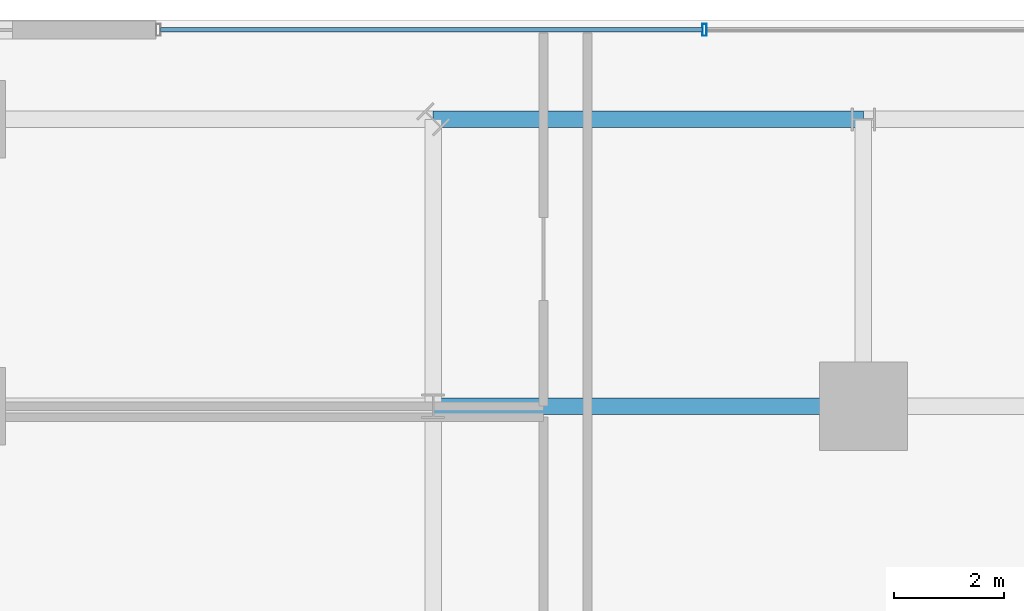
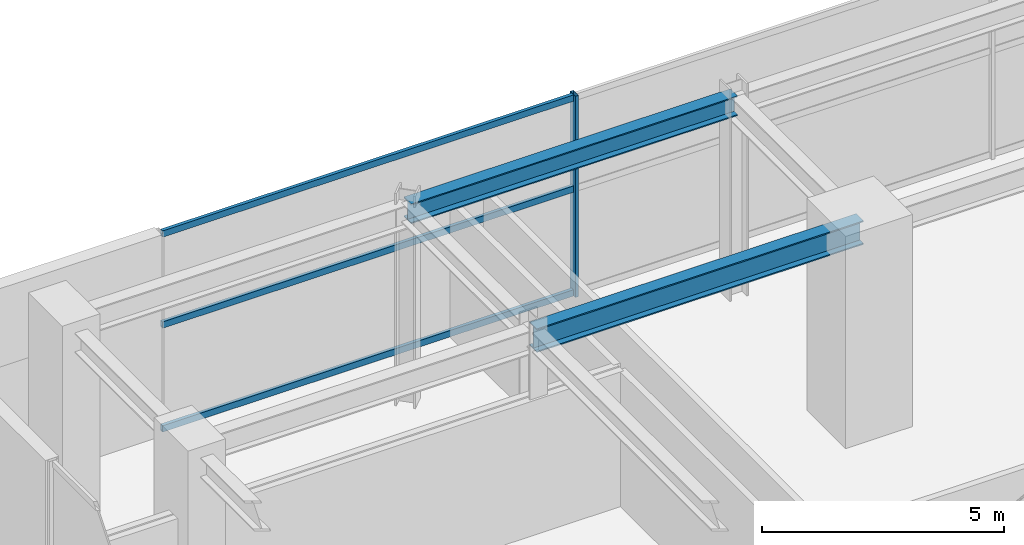
# One storey, part 14 of 34: 4 members, 2 beams, 1 element without a shape of its own.
"""IFC4 building model written with IfcOpenShell, lengths in metres."""

import ifcopenshell
import ifcopenshell.guid

model = None  # the IFC model being written
_history = None  # IfcOwnerHistory: only IFC2X3 demands one
_inside = {}  # id of a spatial element -> (the spatial element, [elements in it])
_under = {}  # id of a project, library or spatial element -> (it, [spatial elements below it])
_declared = {}  # id of a project -> (the project, [libraries it declares])
_typed = {}  # id of a type object -> (the type object, [elements of that type])
_made_of = {}  # id of a material, layer set ... -> (it, [elements and type objects made of it])


def new_model(schema):
    """Start an empty IFC model of exactly this schema.

    Asked for "IFC4X3", IfcOpenShell would pick the latest addendum, in which some entities
    have other attributes; the version numbers below select the first issue.
    IFC2X3 requires an IfcOwnerHistory on every rooted entity: one is made here for all.
    """
    global model, _history
    if schema == "IFC4X3":
        model = ifcopenshell.file(schema_version=(4, 3, 0, 0))
    else:
        model = ifcopenshell.file(schema=schema)
    _inside.clear()
    _under.clear()
    _declared.clear()
    _typed.clear()
    _made_of.clear()
    _history = None
    if model.schema == "IFC2X3":
        org = make("IfcOrganization", Name="unknown")
        user = make(
            "IfcPersonAndOrganization",
            ThePerson=make("IfcPerson", FamilyName="unknown"),
            TheOrganization=org,
        )
        app = make(
            "IfcApplication",
            ApplicationDeveloper=org,
            Version="unknown",
            ApplicationFullName="unknown",
            ApplicationIdentifier="unknown",
        )
        _history = make(
            "IfcOwnerHistory",
            OwningUser=user,
            OwningApplication=app,
            ChangeAction="ADDED",
            CreationDate=0,
        )
    return model


def make(cls, **values):
    """One entity of the class cls with the attributes given. An attribute that is None is left unset."""
    return model.create_entity(
        cls, **{name: value for name, value in values.items() if value is not None}
    )


def rooted(cls, **values):
    """An entity with a GlobalId (a new one), such as an element, a storey or a relation."""
    return make(cls, GlobalId=ifcopenshell.guid.new(), OwnerHistory=_history, **values)


def si_unit(unit_type, name, prefix=None):
    """IfcSIUnit, for example si_unit("LENGTHUNIT", "METRE", prefix="MILLI")."""
    return make("IfcSIUnit", UnitType=unit_type, Prefix=prefix, Name=name)


def assignment(units):
    """IfcUnitAssignment: the units of a project."""
    return None if units is None else make("IfcUnitAssignment", Units=units)


def point(xyz):
    """IfcCartesianPoint."""
    return None if xyz is None else make("IfcCartesianPoint", Coordinates=xyz)


def direction(xyz):
    """IfcDirection."""
    return None if xyz is None else make("IfcDirection", DirectionRatios=xyz)


def frame(location, z_axis=None, x_axis=None):
    """IfcAxis2Placement3D, a coordinate frame: its origin and axes. An axis left out is left unset."""
    return make(
        "IfcAxis2Placement3D",
        Location=point(location),
        Axis=direction(z_axis),
        RefDirection=direction(x_axis),
    )


def frame_2d(location, x_axis=None):
    """IfcAxis2Placement2D, a coordinate frame in the plane: its origin and x axis."""
    return make(
        "IfcAxis2Placement2D", Location=point(location), RefDirection=direction(x_axis)
    )


def origin():
    """The frame at (0, 0, 0) with its axes left unset."""
    return frame((0.0, 0.0, 0.0))


def origin_2d():
    """The frame at (0, 0) in the plane with its x axis left unset."""
    return frame_2d((0.0, 0.0))


def place(relative_to, where):
    """IfcLocalPlacement: puts the frame where relative to a parent placement (None: the world)."""
    return make(
        "IfcLocalPlacement", PlacementRelTo=relative_to, RelativePlacement=where
    )


def context(
    kind, dimensions, precision=None, world=None, true_north=None, identifier=None
):
    """IfcGeometricRepresentationContext, for example the 3D "Model" context."""
    return make(
        "IfcGeometricRepresentationContext",
        ContextIdentifier=identifier,
        ContextType=kind,
        CoordinateSpaceDimension=dimensions,
        Precision=precision,
        WorldCoordinateSystem=world,
        TrueNorth=true_north,
    )


def subcontext(parent, identifier, kind, view, scale=None):
    """IfcGeometricRepresentationSubContext, for example "Body" below "Model"."""
    return make(
        "IfcGeometricRepresentationSubContext",
        ContextIdentifier=identifier,
        ContextType=kind,
        ParentContext=parent,
        TargetScale=scale,
        TargetView=view,
    )


def project(units=None, contexts=None):
    """IfcProject with its units and contexts."""
    return rooted(
        "IfcProject",
        Name="project",
        RepresentationContexts=contexts,
        UnitsInContext=assignment(units),
    )


def spatial(cls, under=None, at=None, **own):
    """A site, building, storey or space (cls), placed at a placement, below another one or the project."""
    s = rooted(cls, ObjectPlacement=at, **own)
    if under is not None:
        _under.setdefault(under.id(), (under, []))[1].append(s)
    return s


def profile(cls, at=None, kind="AREA", **sizes):
    """A parametric profile (cls). Its sizes go by their IFC names, for example OverallWidth=200.0."""
    return make(cls, ProfileType=kind, Position=at, **sizes)


def hollow_rectangle(**sizes):
    """IfcRectangleHollowProfileDef."""
    return profile("IfcRectangleHollowProfileDef", **sizes)


def i_section(**sizes):
    """IfcIShapeProfileDef."""
    return profile("IfcIShapeProfileDef", **sizes)


def extrude(swept, where, along, depth):
    """IfcExtrudedAreaSolid: the profile swept, set in the frame where, extruded along a direction by depth."""
    return make(
        "IfcExtrudedAreaSolid",
        SweptArea=swept,
        Position=where,
        ExtrudedDirection=direction(along),
        Depth=depth,
    )


def shape(context_of_items, identifier, shape_type, items):
    """IfcShapeRepresentation: the items that make up one representation, for example the "Body"."""
    return make(
        "IfcShapeRepresentation",
        ContextOfItems=context_of_items,
        RepresentationIdentifier=identifier,
        RepresentationType=shape_type,
        Items=items,
    )


def source(mapping_origin, context_of_items, identifier, shape_type, items):
    """IfcRepresentationMap: a shape defined once, which mapped items show again and again."""
    return make(
        "IfcRepresentationMap",
        MappingOrigin=mapping_origin,
        MappedRepresentation=shape(context_of_items, identifier, shape_type, items),
    )


def transform(
    local_origin,
    x_axis=None,
    y_axis=None,
    z_axis=None,
    scale=None,
    scale2=None,
    scale3=None,
    uniform=True,
):
    """IfcCartesianTransformationOperator3D, or its non-uniform kind. x_axis, y_axis, z_axis: its Axis1, 2, 3."""
    if uniform:
        return make(
            "IfcCartesianTransformationOperator3D",
            Axis1=direction(x_axis),
            Axis2=direction(y_axis),
            LocalOrigin=point(local_origin),
            Scale=scale,
            Axis3=direction(z_axis),
        )
    return make(
        "IfcCartesianTransformationOperator3DnonUniform",
        Axis1=direction(x_axis),
        Axis2=direction(y_axis),
        LocalOrigin=point(local_origin),
        Scale=scale,
        Axis3=direction(z_axis),
        Scale2=scale2,
        Scale3=scale3,
    )


def mapped(mapping_source, mapping_target):
    """IfcMappedItem: shows the shape of a source again, moved by a transform."""
    return make(
        "IfcMappedItem", MappingSource=mapping_source, MappingTarget=mapping_target
    )


def material(Name=None, Category=None):
    """IfcMaterial."""
    return make("IfcMaterial", Name=Name, Category=Category)


def material_profile(
    of_material, cross_section, Name=None, Category=None, Priority=None
):
    """IfcMaterialProfile: a cross section and its material."""
    return make(
        "IfcMaterialProfile",
        Name=Name,
        Material=of_material,
        Profile=cross_section,
        Priority=Priority,
        Category=Category,
    )


def profile_set(profiles, Name=None, composite=None):
    """IfcMaterialProfileSet."""
    return make(
        "IfcMaterialProfileSet",
        Name=Name,
        MaterialProfiles=profiles,
        CompositeProfile=composite,
    )


def made_of(thing, what):
    """Note that an element or type object is made of a material, layer set ...; save() writes the relation."""
    if what is not None:
        _made_of.setdefault(what.id(), (what, []))[1].append(thing)
    return thing


def type_object(cls, material=None, **own):
    """A type object (cls), such as IfcWallType, which elements share."""
    return made_of(rooted(cls, **own), material)


def element(
    cls,
    number,
    at=None,
    inside=None,
    cuts=None,
    type_object=None,
    material=None,
    context=None,
    identifier="Body",
    shape_type=None,
    held_by="IfcProductDefinitionShape",
    body=None,
    shapes=None,
    **own,
):
    """One element of the class cls, such as IfcWall. Its Tag is "e" and its number.

    at: its placement. inside: the storey or other place that contains it. cuts: it is an
    opening in that element (IfcRelVoidsElement). A single representation is given by context,
    identifier, shape_type and body (its items); several are given by shapes. held_by: the class
    of the entity that holds the representations. save() writes the other relations.
    """
    e = rooted(cls, Tag="e%d" % number, ObjectPlacement=at, **own)
    if body is not None:
        shapes = [shape(context, identifier, shape_type, body)]
    if shapes is not None:
        e.Representation = make(held_by, Representations=shapes)
    if inside is not None:
        _inside.setdefault(inside.id(), (inside, []))[1].append(e)
    if cuts is not None:
        rooted(
            "IfcRelVoidsElement", RelatingBuildingElement=cuts, RelatedOpeningElement=e
        )
    if type_object is not None:
        _typed.setdefault(type_object.id(), (type_object, []))[1].append(e)
    return made_of(e, material)


def aggregate(whole, parts):
    """IfcRelAggregates: a whole, such as a stair, and the parts it consists of."""
    return rooted("IfcRelAggregates", RelatingObject=whole, RelatedObjects=parts)


def save(model, path):
    """Write the relations noted so far, then the file.

    IfcRelAggregates (storeys below a building ...), IfcRelContainedInSpatialStructure (elements
    in a storey), IfcRelDefinesByType, IfcRelAssociatesMaterial and IfcRelDeclares: one each for
    every whole, place, type object, material and project.
    """
    for whole, parts in _under.values():
        aggregate(whole, parts)
    for where, things in _inside.values():
        rooted(
            "IfcRelContainedInSpatialStructure",
            RelatedElements=things,
            RelatingStructure=where,
        )
    for kind, things in _typed.values():
        rooted("IfcRelDefinesByType", RelatedObjects=things, RelatingType=kind)
    for what, things in _made_of.values():
        rooted("IfcRelAssociatesMaterial", RelatedObjects=things, RelatingMaterial=what)
    for by, libraries in _declared.values():
        rooted("IfcRelDeclares", RelatingContext=by, RelatedDefinitions=libraries)
    model.write(path)


model = new_model("IFC4")

# Units and contexts
model_context = context("Model", 3, precision=1e-05, world=origin(), true_north=direction((0.0, 1.0)))
body_context = subcontext(model_context, "Body", "Model", "MODEL_VIEW")
ifc_project = project(units=[si_unit("LENGTHUNIT", "METRE"), si_unit("AREAUNIT", "SQUARE_METRE"), si_unit("VOLUMEUNIT", "CUBIC_METRE"), si_unit("PLANEANGLEUNIT", "RADIAN"), si_unit("MASSUNIT", "GRAM", prefix="KILO")], contexts=[model_context])

# Site, building, storey
site_placement = place(None, origin())
site = spatial("IfcSite", under=ifc_project, at=site_placement, CompositionType="ELEMENT")
building_placement = place(site_placement, origin())
building = spatial("IfcBuilding", under=site, at=building_placement, Name="Nahalor Promenade Grand Hotel", CompositionType="ELEMENT")
storey_placement = place(building_placement, frame((0.0, 0.0, 16.199951171875)))
storey = spatial("IfcBuildingStorey", under=building, at=storey_placement, Name="L03", CompositionType="ELEMENT", Elevation=16.199951171875)

# Beams
ifc_material_1 = material(Name="Steel S355JR", Category="steel")
ifc_material_profile_1 = material_profile(ifc_material_1, i_section(OverallWidth=0.3, OverallDepth=0.6, WebThickness=0.0155, FlangeThickness=0.03, at=origin_2d()), Name="HEB 600")
ifc_profile_set_1 = profile_set([ifc_material_profile_1], Name="Steel S355JR")
beam_type_1 = type_object("IfcBeamType", Name="Beam-Girder-HEB600", PredefinedType="BEAM", material=ifc_profile_set_1)
shared_shape_1 = source(origin(), body_context, "Body", "SweptSolid", [
    extrude(i_section(OverallWidth=0.3, OverallDepth=0.6, WebThickness=0.0155, FlangeThickness=0.03, at=origin_2d()), origin(), (0.0, 0.0, 1.0), 7.800048828125),
])
beam_1_placement = place(storey_placement, frame((-24.800048828125, 17.0, 4.780029296875), z_axis=(1.0, 0.0, 0.0), x_axis=(0.0, 1.0, 0.0)))
element("IfcBeam", 1, at=beam_1_placement, inside=storey, type_object=beam_type_1, Name="BM-L03-GX-3-1", PredefinedType="BEAM", context=body_context, shape_type="MappedRepresentation", body=[
    mapped(shared_shape_1, transform((0.0, 0.0, 0.0), scale=1.0)),
])
ifc_material_profile_2 = material_profile(ifc_material_1, i_section(OverallWidth=0.3, OverallDepth=0.5, WebThickness=0.0145, FlangeThickness=0.028, at=origin_2d()), Name="HEB 500")
ifc_profile_set_2 = profile_set([ifc_material_profile_2], Name="Steel S355JR")
beam_type_2 = type_object("IfcBeamType", Name="Beam-Spandrel-HEB500", PredefinedType="SPANDREL", material=ifc_profile_set_2)
shared_shape_2 = source(origin(), body_context, "Body", "SweptSolid", [
    extrude(i_section(OverallWidth=0.3, OverallDepth=0.5, WebThickness=0.0145, FlangeThickness=0.028, at=origin_2d()), origin(), (0.0, 0.0, 1.0), 7.800048828125),
])
beam_2_placement = place(storey_placement, frame((-17.0, 22.199951171875, 4.830078125), z_axis=(-1.0, 0.0, 0.0), x_axis=(0.0, -1.0, 0.0)))
element("IfcBeam", 2, at=beam_2_placement, inside=storey, type_object=beam_type_2, Name="BM-L03-SPC-NW-1", PredefinedType="SPANDREL", context=body_context, shape_type="MappedRepresentation", body=[
    mapped(shared_shape_2, transform((0.0, 0.0, 0.0), scale=1.0)),
])

# Curtain wall, members
ifc_material_2 = material(Name="Anodised Bronze Aluminium EN AW-6063 T6", Category="aluminium")
curtain_wall_type = type_object("IfcCurtainWallType", Name="CW1 Waterfront Podium Bronze Arcade Curtain Wall", PredefinedType="USERDEFINED", material=ifc_material_2)
curtain_wall_placement = place(storey_placement, origin())
curtain_wall = element("IfcCurtainWall", 3, at=curtain_wall_placement, inside=storey, type_object=curtain_wall_type, Name="L03 Curtain Wall CW-L03-N", ObjectType="UNITISED_CURTAIN_WALL", PredefinedType="USERDEFINED")
ifc_material_profile_3 = material_profile(ifc_material_2, hollow_rectangle(XDim=0.08, YDim=0.22, WallThickness=0.005, at=origin_2d()), Name="CWM 80x220x5")
ifc_profile_set_3 = profile_set([ifc_material_profile_3], Name="Anodised Bronze Aluminium EN AW-6063 T6")
member_type_1 = type_object("IfcMemberType", Name="CWM1 Podium Bronze Mullion 80x220", PredefinedType="MULLION", material=ifc_profile_set_3)
shared_shape_3 = source(origin(), body_context, "Body", "SweptSolid", [
    extrude(hollow_rectangle(XDim=0.08, YDim=0.22, WallThickness=0.005, at=origin_2d()), origin(), (0.0, 0.0, 1.0), 5.080078125),
])
member_1_placement = place(storey_placement, frame((-19.8798828125, 23.820068359375, 0.0), z_axis=(0.0, 0.0, 1.0), x_axis=(1.0, 0.0, 0.0)))
member_1 = element("IfcMember", 4, at=member_1_placement, type_object=member_type_1, Name="CW-L03-N Mullion 1", PredefinedType="MULLION", context=body_context, shape_type="MappedRepresentation", body=[
    mapped(shared_shape_3, transform((0.0, 0.0, 0.0), scale=1.0)),
])
ifc_material_profile_4 = material_profile(ifc_material_2, hollow_rectangle(XDim=0.08, YDim=0.16, WallThickness=0.004, at=origin_2d()), Name="CWT 80x160x4")
ifc_profile_set_4 = profile_set([ifc_material_profile_4], Name="Anodised Bronze Aluminium EN AW-6063 T6")
member_type_2 = type_object("IfcMemberType", Name="CWT1 Podium Bronze Transom 80x160", PredefinedType="USERDEFINED", material=ifc_profile_set_4)
shared_shape_4 = source(origin(), body_context, "Body", "SweptSolid", [
    extrude(hollow_rectangle(XDim=0.08, YDim=0.16, WallThickness=0.004, at=origin_2d()), origin(), (0.0, 0.0, 1.0), 9.820068359375),
])
member_2_placement = place(storey_placement, frame((-29.739990234375, 23.820068359375, 0.080078125), z_axis=(1.0, 0.0, 0.0), x_axis=(0.0, 1.0, 0.0)))
member_2 = element("IfcMember", 5, at=member_2_placement, type_object=member_type_2, Name="CW-L03-N Transom 0-0", ObjectType="TRANSOM", PredefinedType="USERDEFINED", context=body_context, shape_type="MappedRepresentation", body=[
    mapped(shared_shape_4, transform((0.0, 0.0, 0.0), scale=1.0)),
])
member_3_placement = place(storey_placement, frame((-29.739990234375, 23.820068359375, 2.699951171875), z_axis=(1.0, 0.0, 0.0), x_axis=(0.0, 1.0, 0.0)))
member_3 = element("IfcMember", 6, at=member_3_placement, type_object=member_type_2, Name="CW-L03-N Transom 0-1", ObjectType="TRANSOM", PredefinedType="USERDEFINED", context=body_context, shape_type="MappedRepresentation", body=[
    mapped(shared_shape_4, transform((0.0, 0.0, 0.0), scale=1.0)),
])
member_4_placement = place(storey_placement, frame((-29.739990234375, 23.820068359375, 5.0), z_axis=(1.0, 0.0, 0.0), x_axis=(0.0, 1.0, 0.0)))
member_4 = element("IfcMember", 7, at=member_4_placement, type_object=member_type_2, Name="CW-L03-N Transom 0-2", ObjectType="TRANSOM", PredefinedType="USERDEFINED", context=body_context, shape_type="MappedRepresentation", body=[
    mapped(shared_shape_4, transform((0.0, 0.0, 0.0), scale=1.0)),
])
aggregate(curtain_wall, [member_1, member_2, member_3, member_4])

save(model, "model.ifc")
